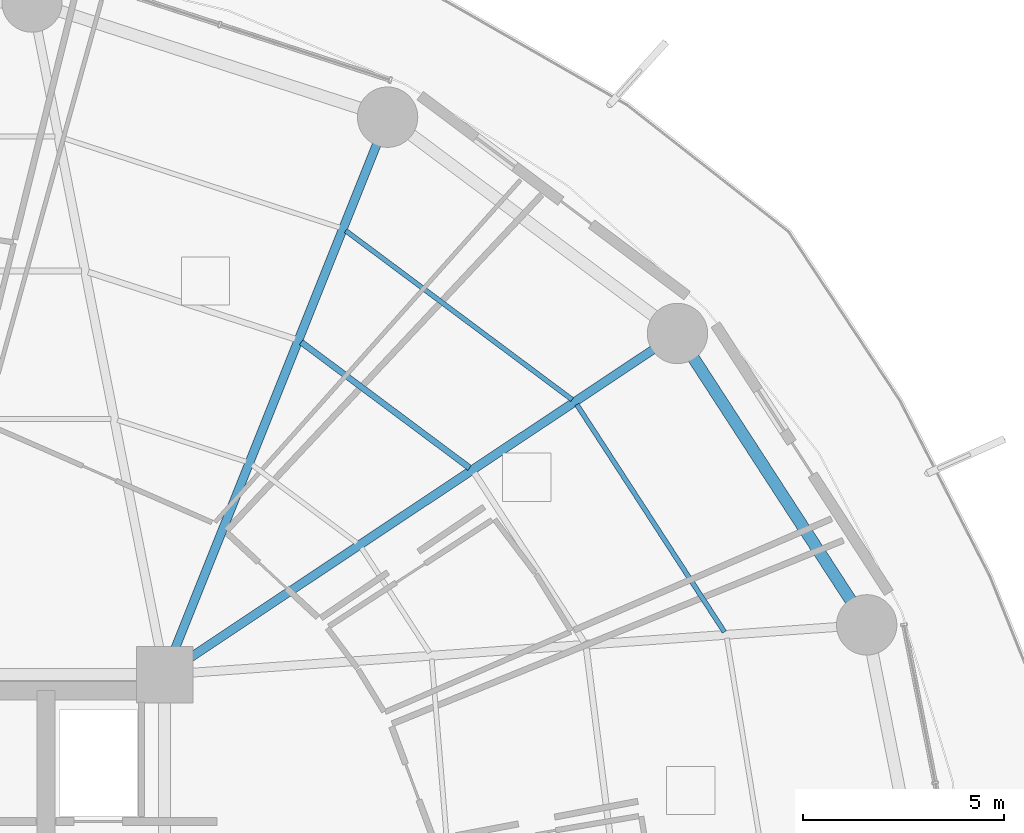
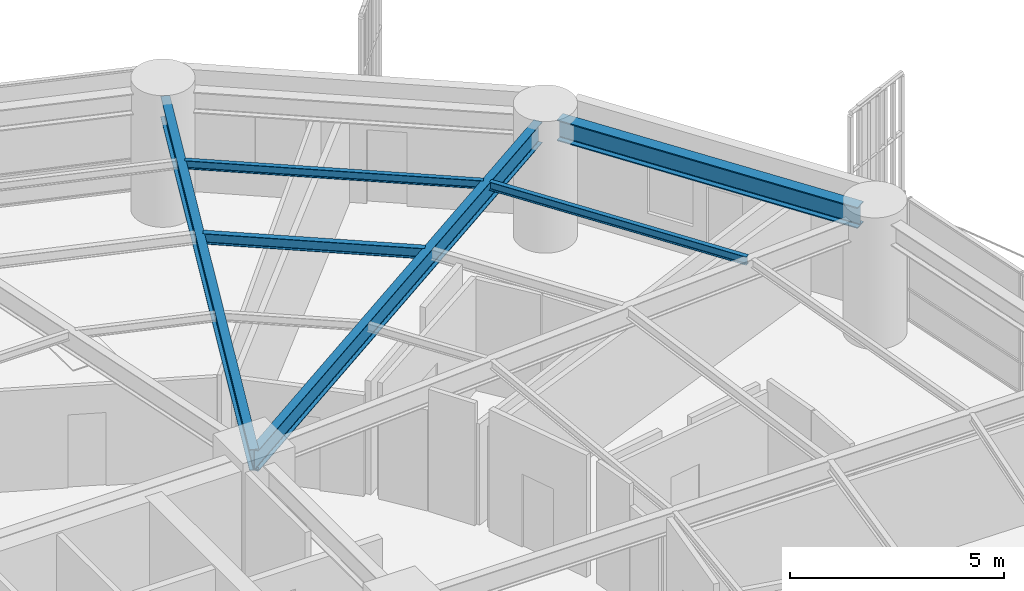
# One storey, part 20 of 35: 6 beams.
"""IFC4 building model written with IfcOpenShell, lengths in metres."""

from ifc_helpers import new_model, si_unit, direction, frame, origin, origin_2d, place, context, subcontext, project, spatial, i_section, extrude, material, material_profile, profile_set, type_object, element, save


model = new_model("IFC4")

# Units and contexts
model_context = context("Model", 3, precision=1e-05, world=origin(), true_north=direction((0.0, 1.0)))
body_context = subcontext(model_context, "Body", "Model", "MODEL_VIEW")
ifc_project = project(units=[si_unit("LENGTHUNIT", "METRE"), si_unit("AREAUNIT", "SQUARE_METRE"), si_unit("VOLUMEUNIT", "CUBIC_METRE"), si_unit("PLANEANGLEUNIT", "RADIAN"), si_unit("MASSUNIT", "GRAM", prefix="KILO")], contexts=[model_context])

# Site, building, storey
site_placement = place(None, origin())
site = spatial("IfcSite", under=ifc_project, at=site_placement, CompositionType="ELEMENT")
building_placement = place(site_placement, origin())
building = spatial("IfcBuilding", under=site, at=building_placement, Name="Kelanora Arch Commons", CompositionType="ELEMENT")
storey_placement = place(building_placement, frame((0.0, 0.0, 22.5)))
storey = spatial("IfcBuildingStorey", under=building, at=storey_placement, Name="L05", CompositionType="ELEMENT", Elevation=22.5)

# Beams
ifc_material = material(Name="Steel S355", Category="steel")
ifc_material_profile_1 = material_profile(ifc_material, i_section(OverallWidth=0.14990234375, OverallDepth=0.300048828125, WebThickness=0.007080078125, FlangeThickness=0.0107421875, FilletRadius=0.014892578125, at=origin_2d()), Name="IPE300")
ifc_profile_set_1 = profile_set([ifc_material_profile_1], Name="Steel S355")
beam_type_1 = type_object("IfcBeamType", Name="BM-JST-01", PredefinedType="JOIST", material=ifc_profile_set_1)
beam_1_placement = place(storey_placement, frame((89.57861328125, 70.1376953125, 3.340087890625), z_axis=(-0.801478251559, 0.598023922831, 0.0), x_axis=(-0.598023922831, -0.801478251559, 0.0)))
element("IfcBeam", 1, at=beam_1_placement, inside=storey, type_object=beam_type_1, Name="Secondary Chord Joist BJB-04 L05", PredefinedType="JOIST", context=body_context, shape_type="SweptSolid", body=[
    extrude(i_section(OverallWidth=0.14990234375, OverallDepth=0.300048828125, WebThickness=0.007080078125, FlangeThickness=0.0107421875, FilletRadius=0.014892578125, at=origin_2d()), origin(), (0.0, 0.0, 1.0), 5.223388671875),
])
ifc_material_profile_2 = material_profile(ifc_material, i_section(OverallWidth=0.1201171875, OverallDepth=0.239990234375, WebThickness=0.006103515625, FlangeThickness=0.009765625, FilletRadius=0.014892578125, at=origin_2d()), Name="IPE240")
ifc_profile_set_2 = profile_set([ifc_material_profile_2], Name="Steel S355")
beam_type_2 = type_object("IfcBeamType", Name="BM-JST-02", PredefinedType="JOIST", material=ifc_profile_set_2)
beam_2_placement = place(storey_placement, frame((95.9111328125, 66.059814453125, 3.3701171875), z_axis=(-0.544550165372, 0.838728273873, 0.0), x_axis=(-0.838728273873, -0.544550165372, 0.0)))
element("IfcBeam", 2, at=beam_2_placement, inside=storey, type_object=beam_type_2, Name="Secondary Chord Joist BJC-02 L05", PredefinedType="JOIST", context=body_context, shape_type="SweptSolid", body=[
    extrude(i_section(OverallWidth=0.1201171875, OverallDepth=0.239990234375, WebThickness=0.006103515625, FlangeThickness=0.009765625, FilletRadius=0.014892578125, at=origin_2d()), origin(), (0.0, 0.0, 1.0), 6.738037109375),
])
beam_3_placement = place(storey_placement, frame((92.12744140625, 71.83349609375, 3.3701171875), z_axis=(-0.80149131963, 0.598006408459, 0.0), x_axis=(-0.598006408459, -0.80149131963, 0.0)))
element("IfcBeam", 3, at=beam_3_placement, inside=storey, type_object=beam_type_2, Name="Secondary Chord Joist BJC-04 L05", PredefinedType="JOIST", context=body_context, shape_type="SweptSolid", body=[
    extrude(i_section(OverallWidth=0.1201171875, OverallDepth=0.239990234375, WebThickness=0.006103515625, FlangeThickness=0.009765625, FilletRadius=0.014892578125, at=origin_2d()), origin(), (0.0, 0.0, 1.0), 7.021240234375),
])
ifc_material_profile_3 = material_profile(ifc_material, i_section(OverallWidth=0.219970703125, OverallDepth=0.60009765625, WebThickness=0.011962890625, FlangeThickness=0.01904296875, FilletRadius=0.02392578125, at=origin_2d()), Name="IPE600")
ifc_profile_set_3 = profile_set([ifc_material_profile_3], Name="Steel S355")
beam_type_3 = type_object("IfcBeamType", Name="BM-RAD-Z1", PredefinedType="BEAM", material=ifc_profile_set_3)
beam_4_placement = place(storey_placement, frame((82.0, 65.0, 3.18994140625), z_axis=(0.832590897434, 0.553888434173, 0.0), x_axis=(-0.553888434173, 0.832590897434, 0.0)))
element("IfcBeam", 4, at=beam_4_placement, inside=storey, type_object=beam_type_3, Name="Radial Floor Girder BR-04 L05", PredefinedType="BEAM", context=body_context, shape_type="SweptSolid", body=[
    extrude(i_section(OverallWidth=0.219970703125, OverallDepth=0.60009765625, WebThickness=0.011962890625, FlangeThickness=0.01904296875, FilletRadius=0.02392578125, at=origin_2d()), origin(), (0.0, 0.0, 1.0), 14.9267578125),
])
beam_5_placement = place(storey_placement, frame((82.0, 65.0, 3.18994140625), z_axis=(0.37129803903, 0.928513740454, 0.0), x_axis=(-0.928513740454, 0.37129803903, 0.0)))
element("IfcBeam", 5, at=beam_5_placement, inside=storey, type_object=beam_type_3, Name="Radial Floor Girder BR-06 L05", PredefinedType="BEAM", context=body_context, shape_type="SweptSolid", body=[
    extrude(i_section(OverallWidth=0.219970703125, OverallDepth=0.60009765625, WebThickness=0.011962890625, FlangeThickness=0.01904296875, FilletRadius=0.02392578125, at=origin_2d()), origin(), (0.0, 0.0, 1.0), 14.540771484375),
])
ifc_material_profile_4 = material_profile(ifc_material, i_section(OverallWidth=0.300048828125, OverallDepth=0.60009765625, WebThickness=0.015380859375, FlangeThickness=0.030029296875, FilletRadius=0.027099609375, at=origin_2d()), Name="HEB600")
ifc_profile_set_4 = profile_set([ifc_material_profile_4], Name="Steel S355")
beam_type_4 = type_object("IfcBeamType", Name="BM-SPN-Z1", PredefinedType="SPANDREL", material=ifc_profile_set_4)
beam_6_placement = place(storey_placement, frame((99.239990234375, 66.554443359375, 3.18994140625), z_axis=(-0.54455786519, 0.838723274662, 0.0), x_axis=(-0.838723274662, -0.54455786519, 0.0)))
element("IfcBeam", 6, at=beam_6_placement, inside=storey, type_object=beam_type_4, Name="Perimeter Spandrel Beam BS-02 L05", PredefinedType="SPANDREL", context=body_context, shape_type="SweptSolid", body=[
    extrude(i_section(OverallWidth=0.300048828125, OverallDepth=0.60009765625, WebThickness=0.015380859375, FlangeThickness=0.030029296875, FilletRadius=0.027099609375, at=origin_2d()), origin(), (0.0, 0.0, 1.0), 7.875244140625),
])

save(model, "model.ifc")
